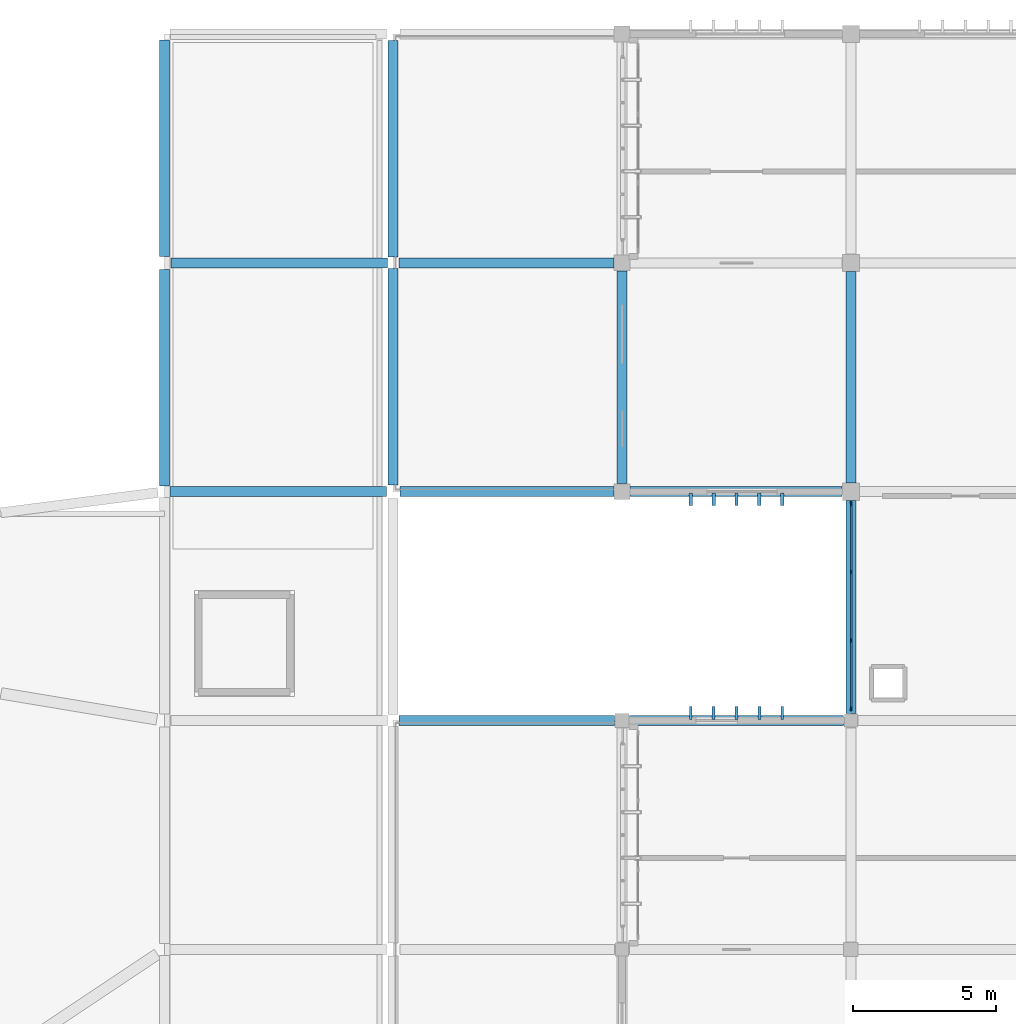
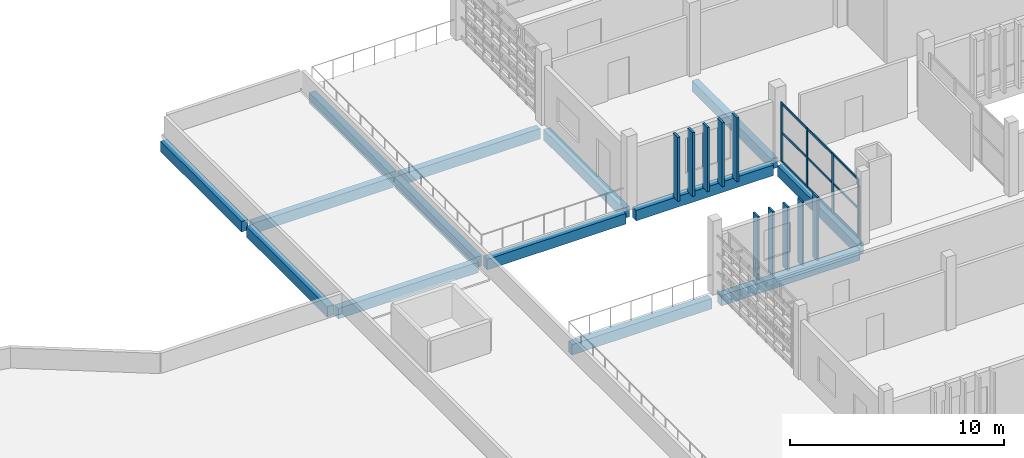
# One storey, part 5 of 48: 23 members, 14 beams, 1 element without a shape of its own.
"""IFC4 building model written with IfcOpenShell, lengths in metres."""

from ifc_helpers import new_model, si_unit, direction, frame, origin, origin_2d, place, context, subcontext, project, spatial, rectangle, extrude, material, layer, layer_set, material_profile, profile_set, type_object, element, aggregate, save


model = new_model("IFC4")

# Units and contexts
model_context = context("Model", 3, precision=1e-05, world=origin(), true_north=direction((0.0, 1.0)))
body_context = subcontext(model_context, "Body", "Model", "MODEL_VIEW")
ifc_project = project(units=[si_unit("LENGTHUNIT", "METRE"), si_unit("AREAUNIT", "SQUARE_METRE"), si_unit("VOLUMEUNIT", "CUBIC_METRE"), si_unit("PLANEANGLEUNIT", "RADIAN"), si_unit("MASSUNIT", "GRAM", prefix="KILO")], contexts=[model_context])

# Site, building, storey
site_placement = place(None, origin())
site = spatial("IfcSite", under=ifc_project, at=site_placement, CompositionType="ELEMENT")
building_placement = place(site_placement, origin())
building = spatial("IfcBuilding", under=site, at=building_placement, Name="Jelvoka-Kovrelna Polytechnic", CompositionType="ELEMENT")
storey_placement = place(building_placement, frame((0.0, 0.0, 22.199951171875)))
storey = spatial("IfcBuildingStorey", under=building, at=storey_placement, Name="L06", CompositionType="ELEMENT", Elevation=22.199951171875)

# Beams
ifc_material_1 = material(Name="Concrete C35/45", Category="concrete")
ifc_material_profile_1 = material_profile(ifc_material_1, rectangle(XDim=0.35009765625, YDim=0.60009765625, at=origin_2d()), Name="RC 350x600")
ifc_profile_set_1 = profile_set([ifc_material_profile_1], Name="Concrete C35/45")
beam_type_1 = type_object("IfcBeamType", Name="Beam_RC_350x600", PredefinedType="BEAM", material=ifc_profile_set_1)
beam_1_placement = place(storey_placement, frame((64.0, 56.280029296875, -0.5400390625), z_axis=(0.0, 1.0, 0.0), x_axis=(-1.0, 0.0, 0.0)))
element("IfcBeam", 1, at=beam_1_placement, inside=storey, type_object=beam_type_1, Name="L06 beam 1715", PredefinedType="BEAM", context=body_context, shape_type="SweptSolid", body=[
    extrude(rectangle(XDim=0.35009765625, YDim=0.60009765625, at=origin_2d()), origin(), (0.0, 0.0, 1.0), 7.43994140625),
])
beam_2_placement = place(storey_placement, frame((72.0, 56.304931640625, -0.5400390625), z_axis=(0.0, 1.0, 0.0), x_axis=(-1.0, 0.0, 0.0)))
element("IfcBeam", 2, at=beam_2_placement, inside=storey, type_object=beam_type_1, Name="L06 beam 1717", PredefinedType="BEAM", context=body_context, shape_type="SweptSolid", body=[
    extrude(rectangle(XDim=0.35009765625, YDim=0.60009765625, at=origin_2d()), origin(), (0.0, 0.0, 1.0), 7.39013671875),
])
beam_3_placement = place(storey_placement, frame((72.0, 48.2548828125, -0.5400390625), z_axis=(0.0, 1.0, 0.0), x_axis=(-1.0, 0.0, 0.0)))
element("IfcBeam", 3, at=beam_3_placement, inside=storey, type_object=beam_type_1, Name="L06 beam 1772", PredefinedType="BEAM", context=body_context, shape_type="SweptSolid", body=[
    extrude(rectangle(XDim=0.35009765625, YDim=0.60009765625, at=origin_2d()), origin(), (0.0, 0.0, 1.0), 7.440185546875),
])
beam_4_placement = place(storey_placement, frame((56.205078125, 64.0, -0.52001953125), z_axis=(1.0, 0.0, 0.0), x_axis=(0.0, 1.0, 0.0)))
element("IfcBeam", 4, at=beam_4_placement, inside=storey, type_object=beam_type_1, Name="L06 beam 1782", PredefinedType="BEAM", context=body_context, shape_type="SweptSolid", body=[
    extrude(rectangle(XDim=0.35009765625, YDim=0.60009765625, at=origin_2d()), origin(), (0.0, 0.0, 1.0), 7.514892578125),
])
for number, where, z_axis, x_axis, name in (
    (5, (56.0, 56.22998046875, -0.52001953125), (0.0, 1.0, 0.0), (-1.0, 0.0, 0.0), "L06 beam 1784"),
    (6, (56.0, 64.205078125, -0.52001953125), (0.0, 1.0, 0.0), (-1.0, 0.0, 0.0), "L06 beam 1785"),
    (7, (48.205078125, 56.0, -0.510009765625), (1.0, 0.0, 0.0), (0.0, 1.0, 0.0), "L06 beam 2163"),
    (8, (48.22998046875, 64.0, -0.510009765625), (1.0, 0.0, 0.0), (0.0, 1.0, 0.0), "L06 beam 2164"),
    (9, (48.0, 56.205078125, -0.510009765625), (0.0, 1.0, 0.0), (-1.0, 0.0, 0.0), "L06 beam 2171"),
    (10, (48.0, 64.22998046875, -0.510009765625), (0.0, 1.0, 0.0), (-1.0, 0.0, 0.0), "L06 beam 2172"),
):
    element("IfcBeam", number, at=place(storey_placement, frame(where, z_axis=z_axis, x_axis=x_axis)), inside=storey, type_object=beam_type_1, Name=name, PredefinedType="BEAM", context=body_context, shape_type="SweptSolid", body=[
        extrude(rectangle(XDim=0.35009765625, YDim=0.60009765625, at=origin_2d()), origin(), (0.0, 0.0, 1.0), 7.56494140625),
    ])

# Members
ifc_material_2 = material(Name="Precast concrete C40/50", Category="concrete")
ifc_material_profile_2 = material_profile(ifc_material_2, rectangle(XDim=0.10009765625, YDim=0.449951171875, at=origin_2d()), Name="PC 100x450")
ifc_profile_set_2 = profile_set([ifc_material_profile_2], Name="Precast concrete C40/50")
member_type_1 = type_object("IfcMemberType", Name="Louvre_Fin_100x450", PredefinedType="USERDEFINED", material=ifc_profile_set_2)
for number, where, z_axis, x_axis, name in (
    (11, (66.39990234375, 48.264892578125, -0.27001953125), (0.0, 0.0, 1.0), (1.0, 0.0, 0.0), "L06 B2W north vertical solar louvre fin 0816"),
    (12, (67.199951171875, 48.264892578125, -0.27001953125), (0.0, 0.0, 1.0), (1.0, 0.0, 0.0), "L06 B2W north vertical solar louvre fin 0817"),
    (13, (68.0, 48.264892578125, -0.27001953125), (0.0, 0.0, 1.0), (1.0, 0.0, 0.0), "L06 B2W north vertical solar louvre fin 0818"),
    (14, (68.800048828125, 48.264892578125, -0.27001953125), (0.0, 0.0, 1.0), (1.0, 0.0, 0.0), "L06 B2W north vertical solar louvre fin 0819"),
    (15, (69.60009765625, 48.264892578125, -0.27001953125), (0.0, 0.0, 1.0), (1.0, 0.0, 0.0), "L06 B2W north vertical solar louvre fin 0820"),
):
    element("IfcMember", number, at=place(storey_placement, frame(where, z_axis=z_axis, x_axis=x_axis)), inside=storey, type_object=member_type_1, Name=name, ObjectType="SUNSHADE", PredefinedType="USERDEFINED", context=body_context, shape_type="SweptSolid", body=[
        extrude(rectangle(XDim=0.10009765625, YDim=0.449951171875, at=origin_2d()), origin(), (0.0, 0.0, 1.0), 3.655029296875),
    ])
ifc_material_3 = material(Name="Precast concrete C40/50", Category="concrete")
ifc_material_profile_3 = material_profile(ifc_material_3, rectangle(XDim=0.1201171875, YDim=0.449951171875, at=origin_2d()), Name="PC 120x450")
ifc_profile_set_3 = profile_set([ifc_material_profile_3], Name="Precast concrete C40/50")
member_type_2 = type_object("IfcMemberType", Name="Louvre_Fin_120x450", PredefinedType="USERDEFINED", material=ifc_profile_set_3)
for number, where, z_axis, x_axis, name in (
    (16, (66.39990234375, 55.735107421875, -0.27001953125), (0.0, 0.0, 1.0), (1.0, 0.0, 0.0), "L06 B3 south vertical solar louvre fin 1941"),
    (17, (67.199951171875, 55.735107421875, -0.27001953125), (0.0, 0.0, 1.0), (1.0, 0.0, 0.0), "L06 B3 south vertical solar louvre fin 1942"),
    (18, (68.0, 55.735107421875, -0.27001953125), (0.0, 0.0, 1.0), (1.0, 0.0, 0.0), "L06 B3 south vertical solar louvre fin 1943"),
    (19, (68.800048828125, 55.735107421875, -0.27001953125), (0.0, 0.0, 1.0), (1.0, 0.0, 0.0), "L06 B3 south vertical solar louvre fin 1944"),
    (20, (69.60009765625, 55.735107421875, -0.27001953125), (0.0, 0.0, 1.0), (1.0, 0.0, 0.0), "L06 B3 south vertical solar louvre fin 1945"),
):
    element("IfcMember", number, at=place(storey_placement, frame(where, z_axis=z_axis, x_axis=x_axis)), inside=storey, type_object=member_type_2, Name=name, ObjectType="SUNSHADE", PredefinedType="USERDEFINED", context=body_context, shape_type="SweptSolid", body=[
        extrude(rectangle(XDim=0.1201171875, YDim=0.449951171875, at=origin_2d()), origin(), (0.0, 0.0, 1.0), 3.655029296875),
    ])

# Curtain wall, members
ifc_material_4 = material(Name="Anodised aluminium 6063-T6", Category="aluminium")
ifc_layer = layer(ifc_material_4, 0.159912109375)
ifc_layer_set = layer_set([ifc_layer], Name="Anodised aluminium 6063-T6")
curtain_wall_type = type_object("IfcCurtainWallType", Name="CW_LinkBridge", PredefinedType="NOTDEFINED", material=ifc_layer_set)
curtain_wall_placement = place(storey_placement, origin())
curtain_wall = element("IfcCurtainWall", 21, at=curtain_wall_placement, inside=storey, type_object=curtain_wall_type, Name="L06 glazed curtain wall 159", PredefinedType="NOTDEFINED")
ifc_material_5 = material(Name="Anodised aluminium 6063-T6", Category="aluminium")
ifc_material_profile_4 = material_profile(ifc_material_5, rectangle(XDim=0.06005859375, YDim=0.159912109375, at=origin_2d()), Name="ALU 60x160")
ifc_profile_set_4 = profile_set([ifc_material_profile_4], Name="Anodised aluminium 6063-T6")
member_type_3 = type_object("IfcMemberType", Name="Mullion_M-04", PredefinedType="MULLION", material=ifc_profile_set_4)
member_1_placement = place(storey_placement, frame((72.0, 48.429931640625, -0.02490234375), z_axis=(0.0, 0.0, 1.0), x_axis=(-1.0, 0.0, 0.0)))
member_1 = element("IfcMember", 22, at=member_1_placement, type_object=member_type_3, Name="CW-04 mullion 1", PredefinedType="MULLION", context=body_context, shape_type="SweptSolid", body=[
    extrude(rectangle(XDim=0.06005859375, YDim=0.159912109375, at=origin_2d()), origin(), (0.0, 0.0, 1.0), 3.400146484375),
])
member_2_placement = place(storey_placement, frame((72.0, 50.800048828125, -0.02490234375), z_axis=(0.0, 0.0, 1.0), x_axis=(-1.0, 0.0, 0.0)))
member_2 = element("IfcMember", 23, at=member_2_placement, type_object=member_type_3, Name="CW-04 mullion 2", PredefinedType="MULLION", context=body_context, shape_type="SweptSolid", body=[
    extrude(rectangle(XDim=0.06005859375, YDim=0.159912109375, at=origin_2d()), origin(), (0.0, 0.0, 1.0), 3.400146484375),
])
member_3_placement = place(storey_placement, frame((72.0, 53.199951171875, -0.02490234375), z_axis=(0.0, 0.0, 1.0), x_axis=(-1.0, 0.0, 0.0)))
member_3 = element("IfcMember", 24, at=member_3_placement, type_object=member_type_3, Name="CW-04 mullion 3", PredefinedType="MULLION", context=body_context, shape_type="SweptSolid", body=[
    extrude(rectangle(XDim=0.06005859375, YDim=0.159912109375, at=origin_2d()), origin(), (0.0, 0.0, 1.0), 3.400146484375),
])
member_4_placement = place(storey_placement, frame((72.0, 55.570068359375, -0.02490234375), z_axis=(0.0, 0.0, 1.0), x_axis=(-1.0, 0.0, 0.0)))
member_4 = element("IfcMember", 25, at=member_4_placement, type_object=member_type_3, Name="CW-04 mullion 4", PredefinedType="MULLION", context=body_context, shape_type="SweptSolid", body=[
    extrude(rectangle(XDim=0.06005859375, YDim=0.159912109375, at=origin_2d()), origin(), (0.0, 0.0, 1.0), 3.400146484375),
])

# Beams
ifc_material_6 = material(Name="Concrete C40/50", Category="concrete")
ifc_material_profile_5 = material_profile(ifc_material_6, rectangle(XDim=0.35009765625, YDim=0.60009765625, at=origin_2d()), Name="RC 350x600")
ifc_profile_set_5 = profile_set([ifc_material_profile_5], Name="Concrete C40/50")
beam_type_2 = type_object("IfcBeamType", Name="Spandrel_RC_350x600", PredefinedType="SPANDREL", material=ifc_profile_set_5)
beam_5_placement = place(storey_placement, frame((64.2548828125, 48.0, -0.5400390625), z_axis=(1.0, 0.0, 0.0), x_axis=(0.0, 1.0, 0.0)))
element("IfcBeam", 26, at=beam_5_placement, inside=storey, type_object=beam_type_2, Name="L06 beam 1632", PredefinedType="SPANDREL", context=body_context, shape_type="SweptSolid", body=[
    extrude(rectangle(XDim=0.35009765625, YDim=0.60009765625, at=origin_2d()), origin(), (0.0, 0.0, 1.0), 7.490234375),
])
beam_6_placement = place(storey_placement, frame((64.280029296875, 56.0, -0.5400390625), z_axis=(1.0, 0.0, 0.0), x_axis=(0.0, 1.0, 0.0)))
element("IfcBeam", 27, at=beam_6_placement, inside=storey, type_object=beam_type_2, Name="L06 beam 1698", PredefinedType="SPANDREL", context=body_context, shape_type="SweptSolid", body=[
    extrude(rectangle(XDim=0.35009765625, YDim=0.60009765625, at=origin_2d()), origin(), (0.0, 0.0, 1.0), 7.4150390625),
])
beam_7_placement = place(storey_placement, frame((56.205078125, 48.0, -0.52001953125), z_axis=(1.0, 0.0, 0.0), x_axis=(0.0, 1.0, 0.0)))
element("IfcBeam", 28, at=beam_7_placement, inside=storey, type_object=beam_type_2, Name="L06 beam 1778", PredefinedType="SPANDREL", context=body_context, shape_type="SweptSolid", body=[
    extrude(rectangle(XDim=0.35009765625, YDim=0.60009765625, at=origin_2d()), origin(), (0.0, 0.0, 1.0), 7.5400390625),
])
beam_8_placement = place(storey_placement, frame((56.22998046875, 56.0, -0.52001953125), z_axis=(1.0, 0.0, 0.0), x_axis=(0.0, 1.0, 0.0)))
element("IfcBeam", 29, at=beam_8_placement, inside=storey, type_object=beam_type_2, Name="L06 beam 1781", PredefinedType="SPANDREL", context=body_context, shape_type="SweptSolid", body=[
    extrude(rectangle(XDim=0.35009765625, YDim=0.60009765625, at=origin_2d()), origin(), (0.0, 0.0, 1.0), 7.489990234375),
])

# Member
ifc_material_7 = material(Name="Anodised aluminium 6063-T6", Category="aluminium")
ifc_material_profile_6 = material_profile(ifc_material_7, rectangle(XDim=0.06005859375, YDim=0.1201171875, at=origin_2d()), Name="ALU 60x120")
ifc_profile_set_6 = profile_set([ifc_material_profile_6], Name="Anodised aluminium 6063-T6")
member_type_4 = type_object("IfcMemberType", Name="Transom_T-04", PredefinedType="USERDEFINED", material=ifc_profile_set_6)
member_5_placement = place(storey_placement, frame((72.0, 48.4599609375, 0.030029296875), z_axis=(0.0, 1.0, 0.0), x_axis=(-1.0, 0.0, 0.0)))
member_5 = element("IfcMember", 30, at=member_5_placement, type_object=member_type_4, Name="CW-04 transom 1.1", ObjectType="TRANSOM", PredefinedType="USERDEFINED", context=body_context, shape_type="SweptSolid", body=[
    extrude(rectangle(XDim=0.06005859375, YDim=0.1201171875, at=origin_2d()), origin(), (0.0, 0.0, 1.0), 2.31005859375),
])

member_6_placement = place(storey_placement, frame((72.0, 48.4599609375, 1.675048828125), z_axis=(0.0, 1.0, 0.0), x_axis=(-1.0, 0.0, 0.0)))
member_6 = element("IfcMember", 31, at=member_6_placement, type_object=member_type_4, Name="CW-04 transom 1.2", ObjectType="TRANSOM", PredefinedType="USERDEFINED", context=body_context, shape_type="SweptSolid", body=[
    extrude(rectangle(XDim=0.06005859375, YDim=0.1201171875, at=origin_2d()), origin(), (0.0, 0.0, 1.0), 2.31005859375),
])

member_7_placement = place(storey_placement, frame((72.0, 48.4599609375, 3.320068359375), z_axis=(0.0, 1.0, 0.0), x_axis=(-1.0, 0.0, 0.0)))
member_7 = element("IfcMember", 32, at=member_7_placement, type_object=member_type_4, Name="CW-04 transom 1.3", ObjectType="TRANSOM", PredefinedType="USERDEFINED", context=body_context, shape_type="SweptSolid", body=[
    extrude(rectangle(XDim=0.06005859375, YDim=0.1201171875, at=origin_2d()), origin(), (0.0, 0.0, 1.0), 2.31005859375),
])

member_8_placement = place(storey_placement, frame((72.0, 50.830078125, 0.030029296875), z_axis=(0.0, 1.0, 0.0), x_axis=(-1.0, 0.0, 0.0)))
member_8 = element("IfcMember", 33, at=member_8_placement, type_object=member_type_4, Name="CW-04 transom 2.1", ObjectType="TRANSOM", PredefinedType="USERDEFINED", context=body_context, shape_type="SweptSolid", body=[
    extrude(rectangle(XDim=0.06005859375, YDim=0.1201171875, at=origin_2d()), origin(), (0.0, 0.0, 1.0), 2.33984375),
])

member_9_placement = place(storey_placement, frame((72.0, 50.830078125, 1.675048828125), z_axis=(0.0, 1.0, 0.0), x_axis=(-1.0, 0.0, 0.0)))
member_9 = element("IfcMember", 34, at=member_9_placement, type_object=member_type_4, Name="CW-04 transom 2.2", ObjectType="TRANSOM", PredefinedType="USERDEFINED", context=body_context, shape_type="SweptSolid", body=[
    extrude(rectangle(XDim=0.06005859375, YDim=0.1201171875, at=origin_2d()), origin(), (0.0, 0.0, 1.0), 2.33984375),
])

member_10_placement = place(storey_placement, frame((72.0, 50.830078125, 3.320068359375), z_axis=(0.0, 1.0, 0.0), x_axis=(-1.0, 0.0, 0.0)))
member_10 = element("IfcMember", 35, at=member_10_placement, type_object=member_type_4, Name="CW-04 transom 2.3", ObjectType="TRANSOM", PredefinedType="USERDEFINED", context=body_context, shape_type="SweptSolid", body=[
    extrude(rectangle(XDim=0.06005859375, YDim=0.1201171875, at=origin_2d()), origin(), (0.0, 0.0, 1.0), 2.33984375),
])

member_11_placement = place(storey_placement, frame((72.0, 53.22998046875, 0.030029296875), z_axis=(0.0, 1.0, 0.0), x_axis=(-1.0, 0.0, 0.0)))
member_11 = element("IfcMember", 36, at=member_11_placement, type_object=member_type_4, Name="CW-04 transom 3.1", ObjectType="TRANSOM", PredefinedType="USERDEFINED", context=body_context, shape_type="SweptSolid", body=[
    extrude(rectangle(XDim=0.06005859375, YDim=0.1201171875, at=origin_2d()), origin(), (0.0, 0.0, 1.0), 2.31005859375),
])

member_12_placement = place(storey_placement, frame((72.0, 53.22998046875, 1.675048828125), z_axis=(0.0, 1.0, 0.0), x_axis=(-1.0, 0.0, 0.0)))
member_12 = element("IfcMember", 37, at=member_12_placement, type_object=member_type_4, Name="CW-04 transom 3.2", ObjectType="TRANSOM", PredefinedType="USERDEFINED", context=body_context, shape_type="SweptSolid", body=[
    extrude(rectangle(XDim=0.06005859375, YDim=0.1201171875, at=origin_2d()), origin(), (0.0, 0.0, 1.0), 2.31005859375),
])

member_13_placement = place(storey_placement, frame((72.0, 53.22998046875, 3.320068359375), z_axis=(0.0, 1.0, 0.0), x_axis=(-1.0, 0.0, 0.0)))
member_13 = element("IfcMember", 38, at=member_13_placement, type_object=member_type_4, Name="CW-04 transom 3.3", ObjectType="TRANSOM", PredefinedType="USERDEFINED", context=body_context, shape_type="SweptSolid", body=[
    extrude(rectangle(XDim=0.06005859375, YDim=0.1201171875, at=origin_2d()), origin(), (0.0, 0.0, 1.0), 2.31005859375),
])

aggregate(curtain_wall, [member_1, member_2, member_3, member_4, member_5, member_6, member_7, member_8, member_9, member_10, member_11, member_12, member_13])

save(model, "model.ifc")
